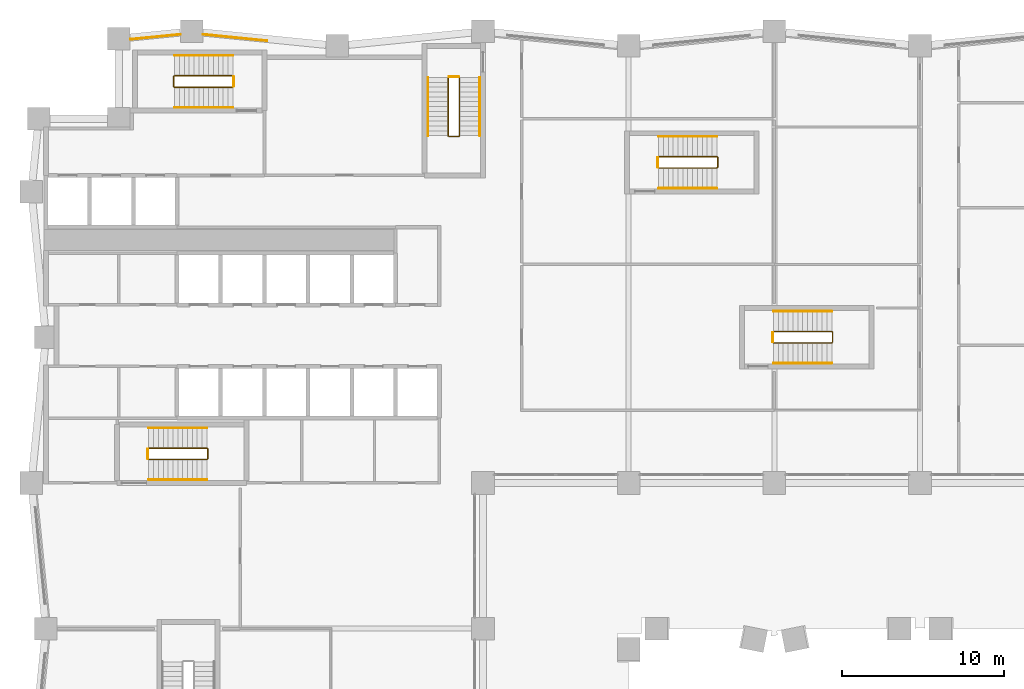
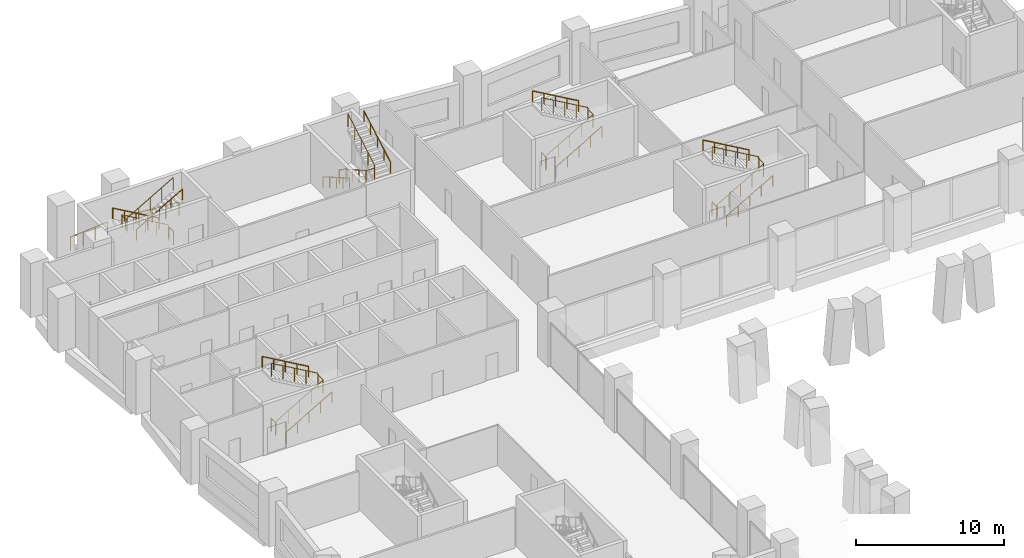
# One storey, part 17 of 18: 22 railings.
"""IFC4 building model written with IfcOpenShell, lengths in metres."""

from ifc_helpers import new_model, si_unit, direction, frame, origin, origin_2d, place, context, subcontext, project, spatial, circle, extrude, material, type_object, element, save


model = new_model("IFC4")

# Units and contexts
model_context = context("Model", 3, precision=1e-05, world=origin(), true_north=direction((0.0, 1.0)))
body_context = subcontext(model_context, "Body", "Model", "MODEL_VIEW")
ifc_project = project(units=[si_unit("LENGTHUNIT", "METRE"), si_unit("AREAUNIT", "SQUARE_METRE"), si_unit("VOLUMEUNIT", "CUBIC_METRE"), si_unit("PLANEANGLEUNIT", "RADIAN"), si_unit("MASSUNIT", "GRAM", prefix="KILO")], contexts=[model_context])

# Site, building, storey
site_placement = place(None, origin())
site = spatial("IfcSite", under=ifc_project, at=site_placement, CompositionType="ELEMENT")
building_placement = place(site_placement, origin())
building = spatial("IfcBuilding", under=site, at=building_placement, Name="Brondeck Convention Tower", CompositionType="ELEMENT")
storey_placement = place(building_placement, frame((0.0, 0.0, 27.5)))
storey = spatial("IfcBuildingStorey", under=building, at=storey_placement, Name="L04", CompositionType="ELEMENT", Elevation=27.5)

# Railings
ifc_material_1 = material(Name="Steel S355, bronze painted", Category="steel")
railing_type_1 = type_object("IfcRailingType", Name="Guard, bronze steel rail and posts", PredefinedType="GUARDRAIL", material=ifc_material_1)
railing_1_placement = place(storey_placement, frame((5.228515625, 63.402099609375, 0.0)))
element("IfcRailing", 1, at=railing_1_placement, inside=storey, type_object=railing_type_1, Name="ENV-RL-L04-REAR1", PredefinedType="GUARDRAIL", context=body_context, shape_type="SweptSolid", body=[
    extrude(circle(Radius=0.02490234375, at=origin_2d()), frame((0.0, 0.0, 1.0751953125), z_axis=(0.995030914205, 0.099566459095, 0.0), x_axis=(-0.099566459095, 0.995030914205, 0.0)), (0.0, 0.0, 1.0), 3.082275390625),
    extrude(circle(Radius=0.02490234375, at=origin_2d()), origin(), (0.0, 0.0, 1.0), 1.050048828125),
    extrude(circle(Radius=0.02490234375, at=origin_2d()), frame((1.022216796875, 0.102294921875, 0.0)), (0.0, 0.0, 1.0), 1.050048828125),
    extrude(circle(Radius=0.02490234375, at=origin_2d()), frame((2.044677734375, 0.20458984375, 0.0)), (0.0, 0.0, 1.0), 1.050048828125),
    extrude(circle(Radius=0.02490234375, at=origin_2d()), frame((3.06689453125, 0.306884765625, 0.0)), (0.0, 0.0, 1.0), 1.050048828125),
])
railing_2_placement = place(storey_placement, frame((9.70458984375, 63.708984375, 0.0)))
element("IfcRailing", 2, at=railing_2_placement, inside=storey, type_object=railing_type_1, Name="ENV-RL-L04-REAR2", PredefinedType="GUARDRAIL", context=body_context, shape_type="SweptSolid", body=[
    extrude(circle(Radius=0.02490234375, at=origin_2d()), frame((0.0, 0.0, 1.0751953125), z_axis=(0.99503719021, -0.099503719021, 0.0), x_axis=(0.099503719021, 0.99503719021, 0.0)), (0.0, 0.0, 1.0), 3.965087890625),
    extrude(circle(Radius=0.02490234375, at=origin_2d()), origin(), (0.0, 0.0, 1.0), 1.050048828125),
    extrude(circle(Radius=0.02490234375, at=origin_2d()), frame((0.986328125, -0.0986328125, 0.0)), (0.0, 0.0, 1.0), 1.050048828125),
    extrude(circle(Radius=0.02490234375, at=origin_2d()), frame((1.97265625, -0.197265625, 0.0)), (0.0, 0.0, 1.0), 1.050048828125),
    extrude(circle(Radius=0.02490234375, at=origin_2d()), frame((2.958984375, -0.2958984375, 0.0)), (0.0, 0.0, 1.0), 1.050048828125),
    extrude(circle(Radius=0.02490234375, at=origin_2d()), frame((3.9453125, -0.39453125, 0.0)), (0.0, 0.0, 1.0), 1.050048828125),
])
ifc_material_2 = material(Name="Steel S355", Category="steel")
railing_type_2 = type_object("IfcRailingType", Name="Stair guard 1100", PredefinedType="GUARDRAIL", material=ifc_material_2)
railing_3_placement = place(storey_placement, frame((6.35009765625, 37.449951171875, 0.173095703125)))
element("IfcRailing", 3, at=railing_3_placement, inside=storey, type_object=railing_type_2, Name="L04 ST-1 stair guard 1", PredefinedType="GUARDRAIL", context=body_context, shape_type="SweptSolid", body=[
    extrude(circle(Radius=0.02392578125, at=origin_2d()), frame((0.0, 0.0, 1.076171875), z_axis=(0.866178740119, 0.0, 0.499734319579), x_axis=(0.0, 1.0, 0.0)), (0.0, 0.0, 1.0), 4.156005859375),
    extrude(circle(Radius=0.02392578125, at=origin_2d()), frame((3.599853515625, 0.0, 3.15283203125), z_axis=(0.707106781187, 0.707106781187, 0.0), x_axis=(-0.707106781187, 0.707106781187, 0.0)), (0.0, 0.0, 1.0), 0.07080078125),
    extrude(circle(Radius=0.02392578125, at=origin_2d()), frame((3.64990234375, 0.050048828125, 3.15283203125), z_axis=(0.0, 1.0, 0.0), x_axis=(-1.0, 0.0, 0.0)), (0.0, 0.0, 1.0), 0.60009765625),
    extrude(circle(Radius=0.02392578125, at=origin_2d()), frame((3.64990234375, 0.650146484375, 3.15283203125), z_axis=(-0.267723051232, 0.266417085129, 0.925929967433), x_axis=(-0.705375805398, -0.708833529934, 0.0)), (0.0, 0.0, 1.0), 0.18701171875),
    extrude(circle(Radius=0.02392578125, at=origin_2d()), frame((3.599853515625, 0.699951171875, 3.326171875), z_axis=(-0.866178740119, 0.0, 0.499734319579), x_axis=(0.0, -1.0, 0.0)), (0.0, 0.0, 1.0), 4.156005859375),
    extrude(circle(Radius=0.02099609375, at=origin_2d()), origin(), (0.0, 0.0, 1.0), 1.052001953125),
    extrude(circle(Radius=0.02099609375, at=origin_2d()), frame((0.89990234375, 0.0, 0.519287109375)), (0.0, 0.0, 1.0), 1.052001953125),
    extrude(circle(Radius=0.02099609375, at=origin_2d()), frame((1.7998046875, 0.0, 1.03857421875)), (0.0, 0.0, 1.0), 1.052001953125),
    extrude(circle(Radius=0.02099609375, at=origin_2d()), frame((2.699951171875, 0.0, 1.5576171875)), (0.0, 0.0, 1.0), 1.052001953125),
    extrude(circle(Radius=0.02099609375, at=origin_2d()), frame((3.599853515625, 0.0, 2.076904296875)), (0.0, 0.0, 1.0), 1.052001953125),
    extrude(circle(Radius=0.02099609375, at=origin_2d()), frame((3.64990234375, 0.050048828125, 2.076904296875)), (0.0, 0.0, 1.0), 1.052001953125),
    extrude(circle(Radius=0.02099609375, at=origin_2d()), frame((3.64990234375, 0.650146484375, 2.076904296875)), (0.0, 0.0, 1.0), 1.052001953125),
    extrude(circle(Radius=0.02099609375, at=origin_2d()), frame((3.599853515625, 0.699951171875, 2.25)), (0.0, 0.0, 1.0), 1.052001953125),
    extrude(circle(Radius=0.02099609375, at=origin_2d()), frame((2.699951171875, 0.699951171875, 2.769287109375)), (0.0, 0.0, 1.0), 1.052001953125),
    extrude(circle(Radius=0.02099609375, at=origin_2d()), frame((1.7998046875, 0.699951171875, 3.28857421875)), (0.0, 0.0, 1.0), 1.052001953125),
    extrude(circle(Radius=0.02099609375, at=origin_2d()), frame((0.89990234375, 0.699951171875, 3.8076171875)), (0.0, 0.0, 1.0), 1.052001953125),
    extrude(circle(Radius=0.02099609375, at=origin_2d()), frame((0.0, 0.699951171875, 4.326904296875)), (0.0, 0.0, 1.0), 1.052001953125),
])
railing_4_placement = place(storey_placement, frame((6.300048828125, 37.5, 0.0)))
element("IfcRailing", 4, at=railing_4_placement, inside=storey, type_object=railing_type_2, Name="L04 ST-1 stair guard 2", PredefinedType="GUARDRAIL", context=body_context, shape_type="SweptSolid", body=[
    extrude(circle(Radius=0.02392578125, at=origin_2d()), frame((0.0, 0.0, 1.076171875), z_axis=(0.0, 1.0, 0.0), x_axis=(-1.0, 0.0, 0.0)), (0.0, 0.0, 1.0), 0.60009765625),
    extrude(circle(Radius=0.02099609375, at=origin_2d()), origin(), (0.0, 0.0, 1.0), 1.052001953125),
    extrude(circle(Radius=0.02099609375, at=origin_2d()), frame((0.0, 0.60009765625, 0.0)), (0.0, 0.0, 1.0), 1.052001953125),
])
railing_5_placement = place(storey_placement, frame((24.85009765625, 61.050048828125, 0.173095703125)))
element("IfcRailing", 5, at=railing_5_placement, inside=storey, type_object=railing_type_2, Name="L04 ST-2 stair guard 1", PredefinedType="GUARDRAIL", context=body_context, shape_type="SweptSolid", body=[
    extrude(circle(Radius=0.02392578125, at=origin_2d()), frame((0.0, 0.0, 1.076171875), z_axis=(0.0, -0.866193409371, 0.499708892819), x_axis=(1.0, 0.0, 0.0)), (0.0, 0.0, 1.0), 4.15625),
    extrude(circle(Radius=0.02392578125, at=origin_2d()), frame((0.0, -3.60009765625, 3.15283203125), z_axis=(0.705375805398, -0.708833529934, 0.0), x_axis=(0.708833529934, 0.705375805398, 0.0)), (0.0, 0.0, 1.0), 0.070556640625),
    extrude(circle(Radius=0.02392578125, at=origin_2d()), frame((0.0498046875, -3.650146484375, 3.15283203125), z_axis=(1.0, 0.0, 0.0), x_axis=(0.0, 1.0, 0.0)), (0.0, 0.0, 1.0), 0.60009765625),
    extrude(circle(Radius=0.02392578125, at=origin_2d()), frame((0.64990234375, -3.650146484375, 3.15283203125), z_axis=(0.267629722418, 0.267629722418, 0.925607186314), x_axis=(-0.707106781187, 0.707106781187, 0.0)), (0.0, 0.0, 1.0), 0.18701171875),
    extrude(circle(Radius=0.02392578125, at=origin_2d()), frame((0.699951171875, -3.60009765625, 3.326171875), z_axis=(0.0, 0.866193409371, 0.499708892819), x_axis=(-1.0, 0.0, 0.0)), (0.0, 0.0, 1.0), 4.15625),
    extrude(circle(Radius=0.02099609375, at=origin_2d()), origin(), (0.0, 0.0, 1.0), 1.052001953125),
    extrude(circle(Radius=0.02099609375, at=origin_2d()), frame((0.0, -0.89990234375, 0.519287109375)), (0.0, 0.0, 1.0), 1.052001953125),
    extrude(circle(Radius=0.02099609375, at=origin_2d()), frame((0.0, -1.800048828125, 1.03857421875)), (0.0, 0.0, 1.0), 1.052001953125),
    extrude(circle(Radius=0.02099609375, at=origin_2d()), frame((0.0, -2.7001953125, 1.5576171875)), (0.0, 0.0, 1.0), 1.052001953125),
    extrude(circle(Radius=0.02099609375, at=origin_2d()), frame((0.0, -3.60009765625, 2.076904296875)), (0.0, 0.0, 1.0), 1.052001953125),
    extrude(circle(Radius=0.02099609375, at=origin_2d()), frame((0.0498046875, -3.650146484375, 2.076904296875)), (0.0, 0.0, 1.0), 1.052001953125),
    extrude(circle(Radius=0.02099609375, at=origin_2d()), frame((0.64990234375, -3.650146484375, 2.076904296875)), (0.0, 0.0, 1.0), 1.052001953125),
    extrude(circle(Radius=0.02099609375, at=origin_2d()), frame((0.699951171875, -3.60009765625, 2.25)), (0.0, 0.0, 1.0), 1.052001953125),
    extrude(circle(Radius=0.02099609375, at=origin_2d()), frame((0.699951171875, -2.7001953125, 2.769287109375)), (0.0, 0.0, 1.0), 1.052001953125),
    extrude(circle(Radius=0.02099609375, at=origin_2d()), frame((0.699951171875, -1.800048828125, 3.28857421875)), (0.0, 0.0, 1.0), 1.052001953125),
    extrude(circle(Radius=0.02099609375, at=origin_2d()), frame((0.699951171875, -0.89990234375, 3.8076171875)), (0.0, 0.0, 1.0), 1.052001953125),
    extrude(circle(Radius=0.02099609375, at=origin_2d()), frame((0.699951171875, 0.0, 4.326904296875)), (0.0, 0.0, 1.0), 1.052001953125),
])
railing_6_placement = place(storey_placement, frame((24.89990234375, 61.10009765625, 0.0)))
element("IfcRailing", 6, at=railing_6_placement, inside=storey, type_object=railing_type_2, Name="L04 ST-2 stair guard 2", PredefinedType="GUARDRAIL", context=body_context, shape_type="SweptSolid", body=[
    extrude(circle(Radius=0.02392578125, at=origin_2d()), frame((0.0, 0.0, 1.076171875), z_axis=(1.0, 0.0, 0.0), x_axis=(0.0, 1.0, 0.0)), (0.0, 0.0, 1.0), 0.60009765625),
    extrude(circle(Radius=0.02099609375, at=origin_2d()), origin(), (0.0, 0.0, 1.0), 1.052001953125),
    extrude(circle(Radius=0.02099609375, at=origin_2d()), frame((0.60009765625, 0.0, 0.0)), (0.0, 0.0, 1.0), 1.052001953125),
])
railing_7_placement = place(storey_placement, frame((11.550048828125, 61.14990234375, 0.173095703125)))
element("IfcRailing", 7, at=railing_7_placement, inside=storey, type_object=railing_type_2, Name="L04 ST-3 stair guard 1", PredefinedType="GUARDRAIL", context=body_context, shape_type="SweptSolid", body=[
    extrude(circle(Radius=0.02392578125, at=origin_2d()), frame((0.0, 0.0, 1.076171875), z_axis=(-0.866193409371, 0.0, 0.499708892819), x_axis=(0.0, -1.0, 0.0)), (0.0, 0.0, 1.0), 4.15625),
    extrude(circle(Radius=0.02392578125, at=origin_2d()), frame((-3.60009765625, 0.0, 3.15283203125), z_axis=(-0.708833529934, -0.705375805398, 0.0), x_axis=(0.705375805398, -0.708833529934, 0.0)), (0.0, 0.0, 1.0), 0.070556640625),
    extrude(circle(Radius=0.02392578125, at=origin_2d()), frame((-3.650146484375, -0.0498046875, 3.15283203125), z_axis=(0.0, -1.0, 0.0), x_axis=(1.0, 0.0, 0.0)), (0.0, 0.0, 1.0), 0.60009765625),
    extrude(circle(Radius=0.02392578125, at=origin_2d()), frame((-3.650146484375, -0.64990234375, 3.15283203125), z_axis=(0.267629722418, -0.267629722418, 0.925607186314), x_axis=(0.707106781187, 0.707106781187, 0.0)), (0.0, 0.0, 1.0), 0.18701171875),
    extrude(circle(Radius=0.02392578125, at=origin_2d()), frame((-3.60009765625, -0.699951171875, 3.326171875), z_axis=(0.866193409371, 0.0, 0.499708892819), x_axis=(0.0, 1.0, 0.0)), (0.0, 0.0, 1.0), 4.15625),
    extrude(circle(Radius=0.02099609375, at=origin_2d()), origin(), (0.0, 0.0, 1.0), 1.052001953125),
    extrude(circle(Radius=0.02099609375, at=origin_2d()), frame((-0.89990234375, 0.0, 0.519287109375)), (0.0, 0.0, 1.0), 1.052001953125),
    extrude(circle(Radius=0.02099609375, at=origin_2d()), frame((-1.800048828125, 0.0, 1.03857421875)), (0.0, 0.0, 1.0), 1.052001953125),
    extrude(circle(Radius=0.02099609375, at=origin_2d()), frame((-2.7001953125, 0.0, 1.5576171875)), (0.0, 0.0, 1.0), 1.052001953125),
    extrude(circle(Radius=0.02099609375, at=origin_2d()), frame((-3.60009765625, 0.0, 2.076904296875)), (0.0, 0.0, 1.0), 1.052001953125),
    extrude(circle(Radius=0.02099609375, at=origin_2d()), frame((-3.650146484375, -0.0498046875, 2.076904296875)), (0.0, 0.0, 1.0), 1.052001953125),
    extrude(circle(Radius=0.02099609375, at=origin_2d()), frame((-3.650146484375, -0.64990234375, 2.076904296875)), (0.0, 0.0, 1.0), 1.052001953125),
    extrude(circle(Radius=0.02099609375, at=origin_2d()), frame((-3.60009765625, -0.699951171875, 2.25)), (0.0, 0.0, 1.0), 1.052001953125),
    extrude(circle(Radius=0.02099609375, at=origin_2d()), frame((-2.7001953125, -0.699951171875, 2.769287109375)), (0.0, 0.0, 1.0), 1.052001953125),
    extrude(circle(Radius=0.02099609375, at=origin_2d()), frame((-1.800048828125, -0.699951171875, 3.28857421875)), (0.0, 0.0, 1.0), 1.052001953125),
    extrude(circle(Radius=0.02099609375, at=origin_2d()), frame((-0.89990234375, -0.699951171875, 3.8076171875)), (0.0, 0.0, 1.0), 1.052001953125),
    extrude(circle(Radius=0.02099609375, at=origin_2d()), frame((0.0, -0.699951171875, 4.326904296875)), (0.0, 0.0, 1.0), 1.052001953125),
])
railing_8_placement = place(storey_placement, frame((11.60009765625, 61.10009765625, 0.0)))
element("IfcRailing", 8, at=railing_8_placement, inside=storey, type_object=railing_type_2, Name="L04 ST-3 stair guard 2", PredefinedType="GUARDRAIL", context=body_context, shape_type="SweptSolid", body=[
    extrude(circle(Radius=0.02392578125, at=origin_2d()), frame((0.0, 0.0, 1.076171875), z_axis=(0.0, -1.0, 0.0), x_axis=(1.0, 0.0, 0.0)), (0.0, 0.0, 1.0), 0.60009765625),
    extrude(circle(Radius=0.02099609375, at=origin_2d()), origin(), (0.0, 0.0, 1.0), 1.052001953125),
    extrude(circle(Radius=0.02099609375, at=origin_2d()), frame((0.0, -0.60009765625, 0.0)), (0.0, 0.0, 1.0), 1.052001953125),
])
railing_9_placement = place(storey_placement, frame((37.85009765625, 55.449951171875, 0.173095703125)))
element("IfcRailing", 9, at=railing_9_placement, inside=storey, type_object=railing_type_2, Name="L04 ST-AE stair guard 1", PredefinedType="GUARDRAIL", context=body_context, shape_type="SweptSolid", body=[
    extrude(circle(Radius=0.02392578125, at=origin_2d()), frame((0.0, 0.0, 1.076171875), z_axis=(0.866178740119, 0.0, 0.499734319579), x_axis=(0.0, 1.0, 0.0)), (0.0, 0.0, 1.0), 4.156005859375),
    extrude(circle(Radius=0.02392578125, at=origin_2d()), frame((3.599853515625, 0.0, 3.15283203125), z_axis=(0.707106781187, 0.707106781187, 0.0), x_axis=(-0.707106781187, 0.707106781187, 0.0)), (0.0, 0.0, 1.0), 0.07080078125),
    extrude(circle(Radius=0.02392578125, at=origin_2d()), frame((3.64990234375, 0.050048828125, 3.15283203125), z_axis=(0.0, 1.0, 0.0), x_axis=(-1.0, 0.0, 0.0)), (0.0, 0.0, 1.0), 0.60009765625),
    extrude(circle(Radius=0.02392578125, at=origin_2d()), frame((3.64990234375, 0.650146484375, 3.15283203125), z_axis=(-0.267723051232, 0.266417085129, 0.925929967433), x_axis=(-0.705375805398, -0.708833529934, 0.0)), (0.0, 0.0, 1.0), 0.18701171875),
    extrude(circle(Radius=0.02392578125, at=origin_2d()), frame((3.599853515625, 0.699951171875, 3.326171875), z_axis=(-0.866178740119, 0.0, 0.499734319579), x_axis=(0.0, -1.0, 0.0)), (0.0, 0.0, 1.0), 4.156005859375),
    extrude(circle(Radius=0.02099609375, at=origin_2d()), origin(), (0.0, 0.0, 1.0), 1.052001953125),
    extrude(circle(Radius=0.02099609375, at=origin_2d()), frame((0.89990234375, 0.0, 0.519287109375)), (0.0, 0.0, 1.0), 1.052001953125),
    extrude(circle(Radius=0.02099609375, at=origin_2d()), frame((1.7998046875, 0.0, 1.03857421875)), (0.0, 0.0, 1.0), 1.052001953125),
    extrude(circle(Radius=0.02099609375, at=origin_2d()), frame((2.699951171875, 0.0, 1.5576171875)), (0.0, 0.0, 1.0), 1.052001953125),
    extrude(circle(Radius=0.02099609375, at=origin_2d()), frame((3.599853515625, 0.0, 2.076904296875)), (0.0, 0.0, 1.0), 1.052001953125),
    extrude(circle(Radius=0.02099609375, at=origin_2d()), frame((3.64990234375, 0.050048828125, 2.076904296875)), (0.0, 0.0, 1.0), 1.052001953125),
    extrude(circle(Radius=0.02099609375, at=origin_2d()), frame((3.64990234375, 0.650146484375, 2.076904296875)), (0.0, 0.0, 1.0), 1.052001953125),
    extrude(circle(Radius=0.02099609375, at=origin_2d()), frame((3.599853515625, 0.699951171875, 2.25)), (0.0, 0.0, 1.0), 1.052001953125),
    extrude(circle(Radius=0.02099609375, at=origin_2d()), frame((2.699951171875, 0.699951171875, 2.769287109375)), (0.0, 0.0, 1.0), 1.052001953125),
    extrude(circle(Radius=0.02099609375, at=origin_2d()), frame((1.7998046875, 0.699951171875, 3.28857421875)), (0.0, 0.0, 1.0), 1.052001953125),
    extrude(circle(Radius=0.02099609375, at=origin_2d()), frame((0.89990234375, 0.699951171875, 3.8076171875)), (0.0, 0.0, 1.0), 1.052001953125),
    extrude(circle(Radius=0.02099609375, at=origin_2d()), frame((0.0, 0.699951171875, 4.326904296875)), (0.0, 0.0, 1.0), 1.052001953125),
])
railing_10_placement = place(storey_placement, frame((37.800048828125, 55.5, 0.0)))
element("IfcRailing", 10, at=railing_10_placement, inside=storey, type_object=railing_type_2, Name="L04 ST-AE stair guard 2", PredefinedType="GUARDRAIL", context=body_context, shape_type="SweptSolid", body=[
    extrude(circle(Radius=0.02392578125, at=origin_2d()), frame((0.0, 0.0, 1.076171875), z_axis=(0.0, 1.0, 0.0), x_axis=(-1.0, 0.0, 0.0)), (0.0, 0.0, 1.0), 0.60009765625),
    extrude(circle(Radius=0.02099609375, at=origin_2d()), origin(), (0.0, 0.0, 1.0), 1.052001953125),
    extrude(circle(Radius=0.02099609375, at=origin_2d()), frame((0.0, 0.60009765625, 0.0)), (0.0, 0.0, 1.0), 1.052001953125),
])
railing_11_placement = place(storey_placement, frame((44.949951171875, 44.64990234375, 0.173095703125)))
element("IfcRailing", 11, at=railing_11_placement, inside=storey, type_object=railing_type_2, Name="L04 ST-AF stair guard 1", PredefinedType="GUARDRAIL", context=body_context, shape_type="SweptSolid", body=[
    extrude(circle(Radius=0.02392578125, at=origin_2d()), frame((0.0, 0.0, 1.076171875), z_axis=(0.866193409371, 0.0, 0.499708892819), x_axis=(0.0, 1.0, 0.0)), (0.0, 0.0, 1.0), 4.15625),
    extrude(circle(Radius=0.02392578125, at=origin_2d()), frame((3.60009765625, 0.0, 3.15283203125), z_axis=(0.707106781187, 0.707106781187, 0.0), x_axis=(-0.707106781187, 0.707106781187, 0.0)), (0.0, 0.0, 1.0), 0.07080078125),
    extrude(circle(Radius=0.02392578125, at=origin_2d()), frame((3.650146484375, 0.050048828125, 3.15283203125), z_axis=(0.0, 1.0, 0.0), x_axis=(-1.0, 0.0, 0.0)), (0.0, 0.0, 1.0), 0.60009765625),
    extrude(circle(Radius=0.02392578125, at=origin_2d()), frame((3.650146484375, 0.650146484375, 3.15283203125), z_axis=(-0.267629722418, 0.267629722418, 0.925607186314), x_axis=(-0.707106781187, -0.707106781187, 0.0)), (0.0, 0.0, 1.0), 0.18701171875),
    extrude(circle(Radius=0.02392578125, at=origin_2d()), frame((3.60009765625, 0.7001953125, 3.326171875), z_axis=(-0.866193409371, 0.0, 0.499708892819), x_axis=(0.0, -1.0, 0.0)), (0.0, 0.0, 1.0), 4.15625),
    extrude(circle(Radius=0.02099609375, at=origin_2d()), origin(), (0.0, 0.0, 1.0), 1.052001953125),
    extrude(circle(Radius=0.02099609375, at=origin_2d()), frame((0.89990234375, 0.0, 0.519287109375)), (0.0, 0.0, 1.0), 1.052001953125),
    extrude(circle(Radius=0.02099609375, at=origin_2d()), frame((1.800048828125, 0.0, 1.03857421875)), (0.0, 0.0, 1.0), 1.052001953125),
    extrude(circle(Radius=0.02099609375, at=origin_2d()), frame((2.7001953125, 0.0, 1.5576171875)), (0.0, 0.0, 1.0), 1.052001953125),
    extrude(circle(Radius=0.02099609375, at=origin_2d()), frame((3.60009765625, 0.0, 2.076904296875)), (0.0, 0.0, 1.0), 1.052001953125),
    extrude(circle(Radius=0.02099609375, at=origin_2d()), frame((3.650146484375, 0.050048828125, 2.076904296875)), (0.0, 0.0, 1.0), 1.052001953125),
    extrude(circle(Radius=0.02099609375, at=origin_2d()), frame((3.650146484375, 0.650146484375, 2.076904296875)), (0.0, 0.0, 1.0), 1.052001953125),
    extrude(circle(Radius=0.02099609375, at=origin_2d()), frame((3.60009765625, 0.7001953125, 2.25)), (0.0, 0.0, 1.0), 1.052001953125),
    extrude(circle(Radius=0.02099609375, at=origin_2d()), frame((2.7001953125, 0.7001953125, 2.769287109375)), (0.0, 0.0, 1.0), 1.052001953125),
    extrude(circle(Radius=0.02099609375, at=origin_2d()), frame((1.800048828125, 0.7001953125, 3.28857421875)), (0.0, 0.0, 1.0), 1.052001953125),
    extrude(circle(Radius=0.02099609375, at=origin_2d()), frame((0.89990234375, 0.7001953125, 3.8076171875)), (0.0, 0.0, 1.0), 1.052001953125),
    extrude(circle(Radius=0.02099609375, at=origin_2d()), frame((0.0, 0.7001953125, 4.326904296875)), (0.0, 0.0, 1.0), 1.052001953125),
])
railing_12_placement = place(storey_placement, frame((44.89990234375, 44.699951171875, 0.0)))
element("IfcRailing", 12, at=railing_12_placement, inside=storey, type_object=railing_type_2, Name="L04 ST-AF stair guard 2", PredefinedType="GUARDRAIL", context=body_context, shape_type="SweptSolid", body=[
    extrude(circle(Radius=0.02392578125, at=origin_2d()), frame((0.0, 0.0, 1.076171875), z_axis=(0.0, 1.0, 0.0), x_axis=(-1.0, 0.0, 0.0)), (0.0, 0.0, 1.0), 0.60009765625),
    extrude(circle(Radius=0.02099609375, at=origin_2d()), origin(), (0.0, 0.0, 1.0), 1.052001953125),
    extrude(circle(Radius=0.02099609375, at=origin_2d()), frame((0.0, 0.60009765625, 0.0)), (0.0, 0.0, 1.0), 1.052001953125),
])
railing_type_3 = type_object("IfcRailingType", Name="Stair handrail", PredefinedType="HANDRAIL", material=ifc_material_2)
railing_13_placement = place(storey_placement, frame((6.35009765625, 36.199951171875, 0.173095703125)))
element("IfcRailing", 13, at=railing_13_placement, inside=storey, type_object=railing_type_3, Name="L04 ST-1 stair handrail 1", PredefinedType="HANDRAIL", context=body_context, shape_type="SweptSolid", body=[
    extrude(circle(Radius=0.02392578125, at=origin_2d()), frame((0.0, 0.0, 0.8759765625), z_axis=(0.866178740119, 0.0, 0.499734319579), x_axis=(0.0, 1.0, 0.0)), (0.0, 0.0, 1.0), 4.156005859375),
    extrude(circle(Radius=0.02099609375, at=origin_2d()), origin(), (0.0, 0.0, 1.0), 0.851806640625),
    extrude(circle(Radius=0.02099609375, at=origin_2d()), frame((0.89990234375, 0.0, 0.519287109375)), (0.0, 0.0, 1.0), 0.851806640625),
    extrude(circle(Radius=0.02099609375, at=origin_2d()), frame((1.7998046875, 0.0, 1.03857421875)), (0.0, 0.0, 1.0), 0.851806640625),
    extrude(circle(Radius=0.02099609375, at=origin_2d()), frame((2.699951171875, 0.0, 1.5576171875)), (0.0, 0.0, 1.0), 0.851806640625),
    extrude(circle(Radius=0.02099609375, at=origin_2d()), frame((3.599853515625, 0.0, 2.076904296875)), (0.0, 0.0, 1.0), 0.851806640625),
])
railing_14_placement = place(storey_placement, frame((9.949951171875, 39.39990234375, 2.423095703125)))
element("IfcRailing", 14, at=railing_14_placement, inside=storey, type_object=railing_type_3, Name="L04 ST-1 stair handrail 2", PredefinedType="HANDRAIL", context=body_context, shape_type="SweptSolid", body=[
    extrude(circle(Radius=0.02392578125, at=origin_2d()), frame((0.0, 0.0, 0.8759765625), z_axis=(-0.866178740119, 0.0, 0.499734319579), x_axis=(0.0, -1.0, 0.0)), (0.0, 0.0, 1.0), 4.156005859375),
    extrude(circle(Radius=0.02099609375, at=origin_2d()), origin(), (0.0, 0.0, 1.0), 0.851806640625),
    extrude(circle(Radius=0.02099609375, at=origin_2d()), frame((-0.89990234375, 0.0, 0.519287109375)), (0.0, 0.0, 1.0), 0.851806640625),
    extrude(circle(Radius=0.02099609375, at=origin_2d()), frame((-1.7998046875, 0.0, 1.03857421875)), (0.0, 0.0, 1.0), 0.851806640625),
    extrude(circle(Radius=0.02099609375, at=origin_2d()), frame((-2.699951171875, 0.0, 1.5576171875)), (0.0, 0.0, 1.0), 0.851806640625),
    extrude(circle(Radius=0.02099609375, at=origin_2d()), frame((-3.599853515625, 0.0, 2.076904296875)), (0.0, 0.0, 1.0), 0.851806640625),
])
railing_15_placement = place(storey_placement, frame((23.60009765625, 61.050048828125, 0.173095703125)))
element("IfcRailing", 15, at=railing_15_placement, inside=storey, type_object=railing_type_3, Name="L04 ST-2 stair handrail 1", PredefinedType="HANDRAIL", context=body_context, shape_type="SweptSolid", body=[
    extrude(circle(Radius=0.02392578125, at=origin_2d()), frame((0.0, 0.0, 0.8759765625), z_axis=(0.0, -0.866193409371, 0.499708892819), x_axis=(1.0, 0.0, 0.0)), (0.0, 0.0, 1.0), 4.15625),
    extrude(circle(Radius=0.02099609375, at=origin_2d()), origin(), (0.0, 0.0, 1.0), 0.851806640625),
    extrude(circle(Radius=0.02099609375, at=origin_2d()), frame((0.0, -0.89990234375, 0.519287109375)), (0.0, 0.0, 1.0), 0.851806640625),
    extrude(circle(Radius=0.02099609375, at=origin_2d()), frame((0.0, -1.800048828125, 1.03857421875)), (0.0, 0.0, 1.0), 0.851806640625),
    extrude(circle(Radius=0.02099609375, at=origin_2d()), frame((0.0, -2.7001953125, 1.5576171875)), (0.0, 0.0, 1.0), 0.851806640625),
    extrude(circle(Radius=0.02099609375, at=origin_2d()), frame((0.0, -3.60009765625, 2.076904296875)), (0.0, 0.0, 1.0), 0.851806640625),
])
railing_16_placement = place(storey_placement, frame((26.800048828125, 57.449951171875, 2.423095703125)))
element("IfcRailing", 16, at=railing_16_placement, inside=storey, type_object=railing_type_3, Name="L04 ST-2 stair handrail 2", PredefinedType="HANDRAIL", context=body_context, shape_type="SweptSolid", body=[
    extrude(circle(Radius=0.02392578125, at=origin_2d()), frame((0.0, 0.0, 0.8759765625), z_axis=(0.0, 0.866193409371, 0.499708892819), x_axis=(-1.0, 0.0, 0.0)), (0.0, 0.0, 1.0), 4.15625),
    extrude(circle(Radius=0.02099609375, at=origin_2d()), origin(), (0.0, 0.0, 1.0), 0.851806640625),
    extrude(circle(Radius=0.02099609375, at=origin_2d()), frame((0.0, 0.89990234375, 0.519287109375)), (0.0, 0.0, 1.0), 0.851806640625),
    extrude(circle(Radius=0.02099609375, at=origin_2d()), frame((0.0, 1.800048828125, 1.03857421875)), (0.0, 0.0, 1.0), 0.851806640625),
    extrude(circle(Radius=0.02099609375, at=origin_2d()), frame((0.0, 2.7001953125, 1.5576171875)), (0.0, 0.0, 1.0), 0.851806640625),
    extrude(circle(Radius=0.02099609375, at=origin_2d()), frame((0.0, 3.60009765625, 2.076904296875)), (0.0, 0.0, 1.0), 0.851806640625),
])
railing_17_placement = place(storey_placement, frame((11.550048828125, 62.39990234375, 0.173095703125)))
element("IfcRailing", 17, at=railing_17_placement, inside=storey, type_object=railing_type_3, Name="L04 ST-3 stair handrail 1", PredefinedType="HANDRAIL", context=body_context, shape_type="SweptSolid", body=[
    extrude(circle(Radius=0.02392578125, at=origin_2d()), frame((0.0, 0.0, 0.8759765625), z_axis=(-0.866193409371, 0.0, 0.499708892819), x_axis=(0.0, -1.0, 0.0)), (0.0, 0.0, 1.0), 4.15625),
    extrude(circle(Radius=0.02099609375, at=origin_2d()), origin(), (0.0, 0.0, 1.0), 0.851806640625),
    extrude(circle(Radius=0.02099609375, at=origin_2d()), frame((-0.89990234375, 0.0, 0.519287109375)), (0.0, 0.0, 1.0), 0.851806640625),
    extrude(circle(Radius=0.02099609375, at=origin_2d()), frame((-1.800048828125, 0.0, 1.03857421875)), (0.0, 0.0, 1.0), 0.851806640625),
    extrude(circle(Radius=0.02099609375, at=origin_2d()), frame((-2.7001953125, 0.0, 1.5576171875)), (0.0, 0.0, 1.0), 0.851806640625),
    extrude(circle(Radius=0.02099609375, at=origin_2d()), frame((-3.60009765625, 0.0, 2.076904296875)), (0.0, 0.0, 1.0), 0.851806640625),
])
railing_18_placement = place(storey_placement, frame((7.949951171875, 59.199951171875, 2.423095703125)))
element("IfcRailing", 18, at=railing_18_placement, inside=storey, type_object=railing_type_3, Name="L04 ST-3 stair handrail 2", PredefinedType="HANDRAIL", context=body_context, shape_type="SweptSolid", body=[
    extrude(circle(Radius=0.02392578125, at=origin_2d()), frame((0.0, 0.0, 0.8759765625), z_axis=(0.866193409371, 0.0, 0.499708892819), x_axis=(0.0, 1.0, 0.0)), (0.0, 0.0, 1.0), 4.15625),
    extrude(circle(Radius=0.02099609375, at=origin_2d()), origin(), (0.0, 0.0, 1.0), 0.851806640625),
    extrude(circle(Radius=0.02099609375, at=origin_2d()), frame((0.89990234375, 0.0, 0.519287109375)), (0.0, 0.0, 1.0), 0.851806640625),
    extrude(circle(Radius=0.02099609375, at=origin_2d()), frame((1.800048828125, 0.0, 1.03857421875)), (0.0, 0.0, 1.0), 0.851806640625),
    extrude(circle(Radius=0.02099609375, at=origin_2d()), frame((2.7001953125, 0.0, 1.5576171875)), (0.0, 0.0, 1.0), 0.851806640625),
    extrude(circle(Radius=0.02099609375, at=origin_2d()), frame((3.60009765625, 0.0, 2.076904296875)), (0.0, 0.0, 1.0), 0.851806640625),
])
railing_19_placement = place(storey_placement, frame((37.85009765625, 54.199951171875, 0.173095703125)))
element("IfcRailing", 19, at=railing_19_placement, inside=storey, type_object=railing_type_3, Name="L04 ST-AE stair handrail 1", PredefinedType="HANDRAIL", context=body_context, shape_type="SweptSolid", body=[
    extrude(circle(Radius=0.02392578125, at=origin_2d()), frame((0.0, 0.0, 0.8759765625), z_axis=(0.866178740119, 0.0, 0.499734319579), x_axis=(0.0, 1.0, 0.0)), (0.0, 0.0, 1.0), 4.156005859375),
    extrude(circle(Radius=0.02099609375, at=origin_2d()), origin(), (0.0, 0.0, 1.0), 0.851806640625),
    extrude(circle(Radius=0.02099609375, at=origin_2d()), frame((0.89990234375, 0.0, 0.519287109375)), (0.0, 0.0, 1.0), 0.851806640625),
    extrude(circle(Radius=0.02099609375, at=origin_2d()), frame((1.7998046875, 0.0, 1.03857421875)), (0.0, 0.0, 1.0), 0.851806640625),
    extrude(circle(Radius=0.02099609375, at=origin_2d()), frame((2.699951171875, 0.0, 1.5576171875)), (0.0, 0.0, 1.0), 0.851806640625),
    extrude(circle(Radius=0.02099609375, at=origin_2d()), frame((3.599853515625, 0.0, 2.076904296875)), (0.0, 0.0, 1.0), 0.851806640625),
])
railing_20_placement = place(storey_placement, frame((41.449951171875, 57.39990234375, 2.423095703125)))
element("IfcRailing", 20, at=railing_20_placement, inside=storey, type_object=railing_type_3, Name="L04 ST-AE stair handrail 2", PredefinedType="HANDRAIL", context=body_context, shape_type="SweptSolid", body=[
    extrude(circle(Radius=0.02392578125, at=origin_2d()), frame((0.0, 0.0, 0.8759765625), z_axis=(-0.866178740119, 0.0, 0.499734319579), x_axis=(0.0, -1.0, 0.0)), (0.0, 0.0, 1.0), 4.156005859375),
    extrude(circle(Radius=0.02099609375, at=origin_2d()), origin(), (0.0, 0.0, 1.0), 0.851806640625),
    extrude(circle(Radius=0.02099609375, at=origin_2d()), frame((-0.89990234375, 0.0, 0.519287109375)), (0.0, 0.0, 1.0), 0.851806640625),
    extrude(circle(Radius=0.02099609375, at=origin_2d()), frame((-1.7998046875, 0.0, 1.03857421875)), (0.0, 0.0, 1.0), 0.851806640625),
    extrude(circle(Radius=0.02099609375, at=origin_2d()), frame((-2.699951171875, 0.0, 1.5576171875)), (0.0, 0.0, 1.0), 0.851806640625),
    extrude(circle(Radius=0.02099609375, at=origin_2d()), frame((-3.599853515625, 0.0, 2.076904296875)), (0.0, 0.0, 1.0), 0.851806640625),
])
railing_21_placement = place(storey_placement, frame((44.949951171875, 43.39990234375, 0.173095703125)))
element("IfcRailing", 21, at=railing_21_placement, inside=storey, type_object=railing_type_3, Name="L04 ST-AF stair handrail 1", PredefinedType="HANDRAIL", context=body_context, shape_type="SweptSolid", body=[
    extrude(circle(Radius=0.02392578125, at=origin_2d()), frame((0.0, 0.0, 0.8759765625), z_axis=(0.866193409371, 0.0, 0.499708892819), x_axis=(0.0, 1.0, 0.0)), (0.0, 0.0, 1.0), 4.15625),
    extrude(circle(Radius=0.02099609375, at=origin_2d()), origin(), (0.0, 0.0, 1.0), 0.851806640625),
    extrude(circle(Radius=0.02099609375, at=origin_2d()), frame((0.89990234375, 0.0, 0.519287109375)), (0.0, 0.0, 1.0), 0.851806640625),
    extrude(circle(Radius=0.02099609375, at=origin_2d()), frame((1.800048828125, 0.0, 1.03857421875)), (0.0, 0.0, 1.0), 0.851806640625),
    extrude(circle(Radius=0.02099609375, at=origin_2d()), frame((2.7001953125, 0.0, 1.5576171875)), (0.0, 0.0, 1.0), 0.851806640625),
    extrude(circle(Radius=0.02099609375, at=origin_2d()), frame((3.60009765625, 0.0, 2.076904296875)), (0.0, 0.0, 1.0), 0.851806640625),
])
railing_22_placement = place(storey_placement, frame((48.550048828125, 46.60009765625, 2.423095703125)))
element("IfcRailing", 22, at=railing_22_placement, inside=storey, type_object=railing_type_3, Name="L04 ST-AF stair handrail 2", PredefinedType="HANDRAIL", context=body_context, shape_type="SweptSolid", body=[
    extrude(circle(Radius=0.02392578125, at=origin_2d()), frame((0.0, 0.0, 0.8759765625), z_axis=(-0.866193409371, 0.0, 0.499708892819), x_axis=(0.0, -1.0, 0.0)), (0.0, 0.0, 1.0), 4.15625),
    extrude(circle(Radius=0.02099609375, at=origin_2d()), origin(), (0.0, 0.0, 1.0), 0.851806640625),
    extrude(circle(Radius=0.02099609375, at=origin_2d()), frame((-0.89990234375, 0.0, 0.519287109375)), (0.0, 0.0, 1.0), 0.851806640625),
    extrude(circle(Radius=0.02099609375, at=origin_2d()), frame((-1.800048828125, 0.0, 1.03857421875)), (0.0, 0.0, 1.0), 0.851806640625),
    extrude(circle(Radius=0.02099609375, at=origin_2d()), frame((-2.7001953125, 0.0, 1.5576171875)), (0.0, 0.0, 1.0), 0.851806640625),
    extrude(circle(Radius=0.02099609375, at=origin_2d()), frame((-3.60009765625, 0.0, 2.076904296875)), (0.0, 0.0, 1.0), 0.851806640625),
])

save(model, "model.ifc")
